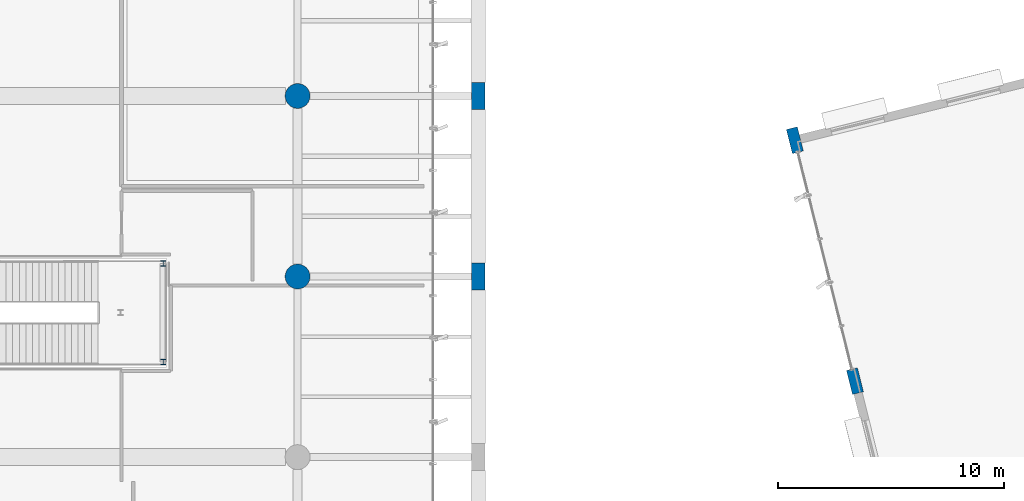
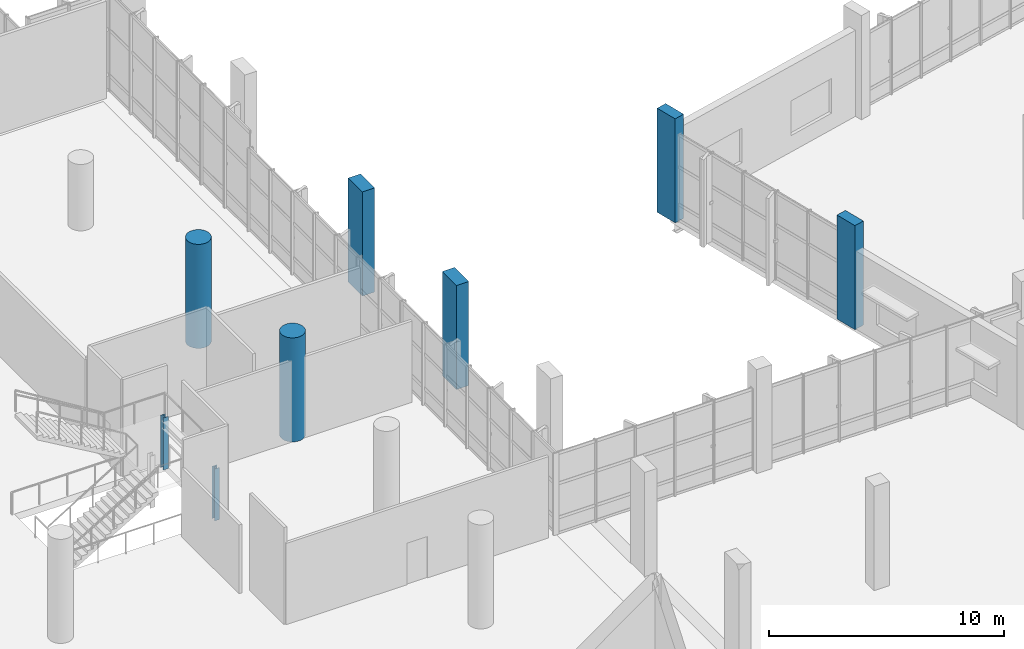
# One storey, part 13 of 176: 8 columns.
"""IFC4 building model written with IfcOpenShell, lengths in metres."""

from ifc_helpers import new_model, si_unit, direction, frame, origin, origin_2d, place, context, subcontext, project, spatial, rectangle, circle, i_section, extrude, material, material_profile, profile_set, type_object, element, save


model = new_model("IFC4")

# Units and contexts
model_context = context("Model", 3, precision=1e-05, world=origin(), true_north=direction((0.0, 1.0)))
body_context = subcontext(model_context, "Body", "Model", "MODEL_VIEW")
ifc_project = project(units=[si_unit("LENGTHUNIT", "METRE"), si_unit("AREAUNIT", "SQUARE_METRE"), si_unit("VOLUMEUNIT", "CUBIC_METRE"), si_unit("PLANEANGLEUNIT", "RADIAN"), si_unit("MASSUNIT", "GRAM", prefix="KILO")], contexts=[model_context])

# Site, building, storey
site_placement = place(None, origin())
site = spatial("IfcSite", under=ifc_project, at=site_placement, CompositionType="ELEMENT")
building_placement = place(site_placement, origin())
building = spatial("IfcBuilding", under=site, at=building_placement, Name="Khorjan Park Terminus", CompositionType="ELEMENT")
storey_placement = place(building_placement, frame((0.0, 0.0, 6.0)))
storey = spatial("IfcBuildingStorey", under=building, at=storey_placement, Name="L01", CompositionType="ELEMENT", Elevation=6.0)

# Columns
ifc_material_1 = material(Name="Concrete C50/60", Category="concrete")
ifc_material_profile_1 = material_profile(ifc_material_1, rectangle(XDim=0.5, YDim=1.1, at=origin_2d()), Name="RC 500x1100")
ifc_profile_set_1 = profile_set([ifc_material_profile_1], Name="Concrete C50/60")
column_type_1 = type_object("IfcColumnType", Name="COL-BL1100E", PredefinedType="COLUMN", material=ifc_profile_set_1)
for number, where, z_axis, x_axis, name in (
    (1, (152.694, 55.366, 0.0), (0.0, 0.0, 1.0), (0.970295726276, 0.2419218956, 0.0), "Structural column C-BL11 (L01 #682)"),
    (2, (150.033, 66.04, 0.0), (0.0, 0.0, 1.0), (0.970295726276, 0.2419218956, 0.0), "Structural column C-BL11 (L01 #685)"),
):
    element("IfcColumn", number, at=place(storey_placement, frame(where, z_axis=z_axis, x_axis=x_axis)), inside=storey, type_object=column_type_1, Name=name, PredefinedType="COLUMN", context=body_context, shape_type="SweptSolid", body=[
        extrude(rectangle(XDim=0.5, YDim=1.1, at=origin_2d()), origin(), (0.0, 0.0, 1.0), 5.4),
    ])
ifc_material_profile_2 = material_profile(ifc_material_1, rectangle(XDim=0.6, YDim=1.2, at=origin_2d()), Name="RC 600x1200")
ifc_profile_set_2 = profile_set([ifc_material_profile_2], Name="Concrete C50/60")
column_type_2 = type_object("IfcColumnType", Name="COL-BL1200", PredefinedType="COLUMN", material=ifc_profile_set_2)
for number, where, z_axis, x_axis, name in (
    (3, (136.0, 60.0, 0.0), (0.0, 0.0, 1.0), (1.0, 0.0, 0.0), "Structural column C-BL12 (L01 #488)"),
    (4, (136.0, 68.0, 0.0), (0.0, 0.0, 1.0), (1.0, 0.0, 0.0), "Structural column C-BL12 (L01 #493)"),
):
    element("IfcColumn", number, at=place(storey_placement, frame(where, z_axis=z_axis, x_axis=x_axis)), inside=storey, type_object=column_type_2, Name=name, PredefinedType="COLUMN", context=body_context, shape_type="SweptSolid", body=[
        extrude(rectangle(XDim=0.6, YDim=1.2, at=origin_2d()), origin(), (0.0, 0.0, 1.0), 5.4),
    ])
ifc_material_2 = material(Name="Steel S355", Category="steel")
ifc_material_profile_3 = material_profile(ifc_material_2, i_section(OverallWidth=0.24, OverallDepth=0.24, WebThickness=0.01, FlangeThickness=0.017, FilletRadius=0.021, at=origin_2d()), Name="HEB 240")
ifc_profile_set_3 = profile_set([ifc_material_profile_3], Name="Steel S355")
column_type_3 = type_object("IfcColumnType", Name="COL-HB240", PredefinedType="COLUMN", material=ifc_profile_set_3)
for number, where, z_axis, x_axis, name in (
    (5, (122.05, 56.22, 0.0), (0.0, 0.0, 1.0), (1.0, 0.0, 0.0), "Structural column SC-H24 (L01 #1040)"),
    (6, (122.05, 60.58, 0.0), (0.0, 0.0, 1.0), (1.0, 0.0, 0.0), "Structural column SC-H24 (L01 #1043)"),
):
    element("IfcColumn", number, at=place(storey_placement, frame(where, z_axis=z_axis, x_axis=x_axis)), inside=storey, type_object=column_type_3, Name=name, PredefinedType="COLUMN", context=body_context, shape_type="SweptSolid", body=[
        extrude(i_section(OverallWidth=0.24, OverallDepth=0.24, WebThickness=0.01, FlangeThickness=0.017, FilletRadius=0.021, at=origin_2d()), origin(), (0.0, 0.0, 1.0), 2.7),
    ])
ifc_material_profile_4 = material_profile(ifc_material_1, circle(Radius=0.55, at=origin_2d()), Name="RC D1100")
ifc_profile_set_4 = profile_set([ifc_material_profile_4], Name="Concrete C50/60")
column_type_4 = type_object("IfcColumnType", Name="COL-RD1100", PredefinedType="COLUMN", material=ifc_profile_set_4)
for number, where, z_axis, x_axis, name in (
    (7, (128.0, 60.0, 0.0), (0.0, 0.0, 1.0), (1.0, 0.0, 0.0), "Structural column C-RD11 (L01 #454)"),
    (8, (128.0, 68.0, 0.0), (0.0, 0.0, 1.0), (1.0, 0.0, 0.0), "Structural column C-RD11 (L01 #457)"),
):
    element("IfcColumn", number, at=place(storey_placement, frame(where, z_axis=z_axis, x_axis=x_axis)), inside=storey, type_object=column_type_4, Name=name, PredefinedType="COLUMN", context=body_context, shape_type="SweptSolid", body=[
        extrude(circle(Radius=0.55, at=origin_2d()), origin(), (0.0, 0.0, 1.0), 5.4),
    ])

save(model, "model.ifc")
